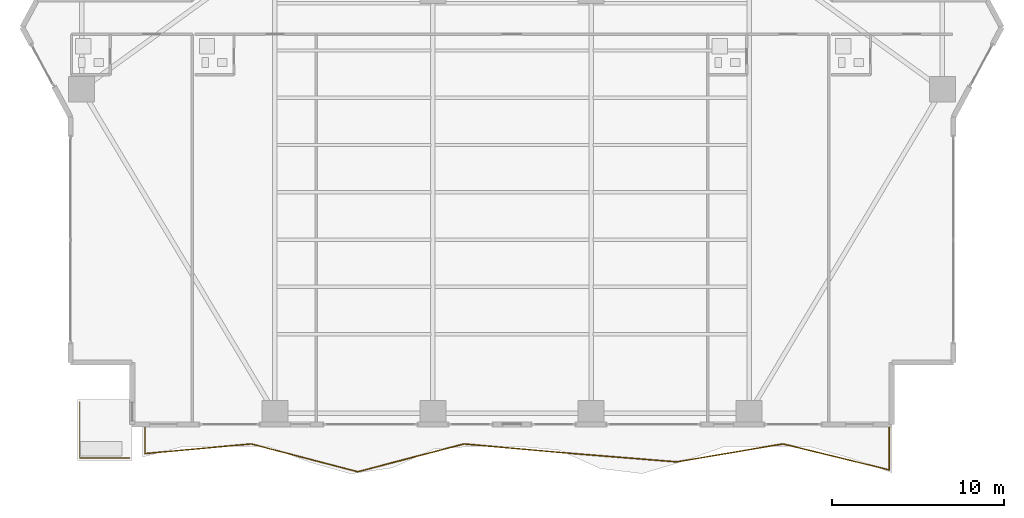
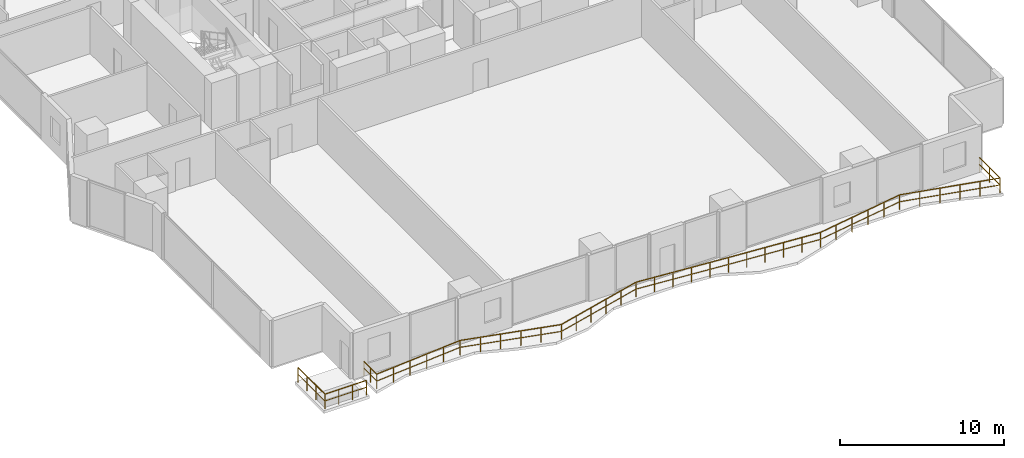
# One storey, part 24 of 28: 2 railings.
"""IFC4 building model written with IfcOpenShell, lengths in metres."""

from ifc_helpers import new_model, si_unit, direction, frame, origin, origin_2d, place, context, subcontext, project, spatial, rectangle, extrude, material, type_object, element, save


model = new_model("IFC4")

# Units and contexts
model_context = context("Model", 3, precision=1e-05, world=origin(), true_north=direction((0.0, 1.0)))
body_context = subcontext(model_context, "Body", "Model", "MODEL_VIEW")
ifc_project = project(units=[si_unit("LENGTHUNIT", "METRE"), si_unit("AREAUNIT", "SQUARE_METRE"), si_unit("VOLUMEUNIT", "CUBIC_METRE"), si_unit("PLANEANGLEUNIT", "RADIAN"), si_unit("MASSUNIT", "GRAM", prefix="KILO")], contexts=[model_context])

# Site, building, storey
site_placement = place(None, origin())
site = spatial("IfcSite", under=ifc_project, at=site_placement, CompositionType="ELEMENT")
building_placement = place(site_placement, origin())
building = spatial("IfcBuilding", under=site, at=building_placement, Name="Zuhayl Quay Hotel", CompositionType="ELEMENT")
storey_placement = place(building_placement, frame((0.0, 0.0, 78.699951171875)))
storey = spatial("IfcBuildingStorey", under=building, at=storey_placement, Name="L19", CompositionType="ELEMENT", Elevation=78.699951171875)

# Railings
ifc_material = material(Name="Anodised Aluminium and Laminated Glass", Category="aluminium")
railing_type = type_object("IfcRailingType", Name="RL_EXT_BAL_1100", PredefinedType="BALUSTRADE", material=ifc_material)
railing_1_placement = place(storey_placement, frame((-21.360107421875, -23.219970703125, 0.0)))
element("IfcRailing", 1, at=railing_1_placement, inside=storey, type_object=railing_type, Name="L19 Balcony and Terrace Guard GR_L19_BAL_S", PredefinedType="BALUSTRADE", context=body_context, shape_type="SweptSolid", body=[
    extrude(rectangle(XDim=0.048095703125, YDim=0.048095703125, at=origin_2d()), frame((0.0, 0.0, 1.09619140625), z_axis=(0.0, -1.0, 0.0), x_axis=(1.0, 0.0, 0.0)), (0.0, 0.0, 1.0), 1.582275390625),
    extrude(rectangle(XDim=0.0361328125, YDim=0.0361328125, at=origin_2d()), frame((0.0, 0.0, 0.58251953125), z_axis=(0.0, -1.0, 0.0), x_axis=(1.0, 0.0, 0.0)), (0.0, 0.0, 1.0), 1.582275390625),
    extrude(rectangle(XDim=0.048095703125, YDim=0.048095703125, at=origin_2d()), frame((0.0, -1.582275390625, 1.09619140625), z_axis=(0.995898357311, 0.090479068874, 0.0), x_axis=(-0.090479068874, 0.995898357311, 0.0)), (0.0, 0.0, 1.0), 6.214111328125),
    extrude(rectangle(XDim=0.0361328125, YDim=0.0361328125, at=origin_2d()), frame((0.0, -1.582275390625, 0.58251953125), z_axis=(0.995898357311, 0.090479068874, 0.0), x_axis=(-0.090479068874, 0.995898357311, 0.0)), (0.0, 0.0, 1.0), 6.214111328125),
    extrude(rectangle(XDim=0.048095703125, YDim=0.048095703125, at=origin_2d()), frame((6.188720703125, -1.02001953125, 1.09619140625), z_axis=(0.967398052897, -0.253260749528, 0.0), x_axis=(0.253260749528, 0.967398052897, 0.0)), (0.0, 0.0, 1.0), 6.39697265625),
    extrude(rectangle(XDim=0.0361328125, YDim=0.0361328125, at=origin_2d()), frame((6.188720703125, -1.02001953125, 0.58251953125), z_axis=(0.967398052897, -0.253260749528, 0.0), x_axis=(0.253260749528, 0.967398052897, 0.0)), (0.0, 0.0, 1.0), 6.39697265625),
    extrude(rectangle(XDim=0.048095703125, YDim=0.048095703125, at=origin_2d()), frame((12.377197265625, -2.64013671875, 1.09619140625), z_axis=(0.967400500682, 0.253251399366, 0.0), x_axis=(-0.253251399366, 0.967400500682, 0.0)), (0.0, 0.0, 1.0), 6.397216796875),
    extrude(rectangle(XDim=0.0361328125, YDim=0.0361328125, at=origin_2d()), frame((12.377197265625, -2.64013671875, 0.58251953125), z_axis=(0.967400500682, 0.253251399366, 0.0), x_axis=(-0.253251399366, 0.967400500682, 0.0)), (0.0, 0.0, 1.0), 6.397216796875),
    extrude(rectangle(XDim=0.048095703125, YDim=0.048095703125, at=origin_2d()), frame((18.56591796875, -1.02001953125, 1.09619140625), z_axis=(0.996121547502, -0.087987854855, 0.0), x_axis=(0.087987854855, 0.996121547502, 0.0)), (0.0, 0.0, 1.0), 6.212646484375),
    extrude(rectangle(XDim=0.0361328125, YDim=0.0361328125, at=origin_2d()), frame((18.56591796875, -1.02001953125, 0.58251953125), z_axis=(0.996121547502, -0.087987854855, 0.0), x_axis=(0.087987854855, 0.996121547502, 0.0)), (0.0, 0.0, 1.0), 6.212646484375),
    extrude(rectangle(XDim=0.048095703125, YDim=0.048095703125, at=origin_2d()), frame((24.75439453125, -1.566650390625, 1.09619140625), z_axis=(0.996783692792, -0.080139065285, 0.0), x_axis=(0.080139065285, 0.996783692792, 0.0)), (0.0, 0.0, 1.0), 6.208740234375),
    extrude(rectangle(XDim=0.0361328125, YDim=0.0361328125, at=origin_2d()), frame((24.75439453125, -1.566650390625, 0.58251953125), z_axis=(0.996783692792, -0.080139065285, 0.0), x_axis=(0.080139065285, 0.996783692792, 0.0)), (0.0, 0.0, 1.0), 6.208740234375),
    extrude(rectangle(XDim=0.048095703125, YDim=0.048095703125, at=origin_2d()), frame((30.943115234375, -2.064208984375, 1.09619140625), z_axis=(0.986061802434, 0.1663794512, 0.0), x_axis=(-0.1663794512, 0.986061802434, 0.0)), (0.0, 0.0, 1.0), 6.27587890625),
    extrude(rectangle(XDim=0.0361328125, YDim=0.0361328125, at=origin_2d()), frame((30.943115234375, -2.064208984375, 0.58251953125), z_axis=(0.986061802434, 0.1663794512, 0.0), x_axis=(-0.1663794512, 0.986061802434, 0.0)), (0.0, 0.0, 1.0), 6.27587890625),
    extrude(rectangle(XDim=0.048095703125, YDim=0.048095703125, at=origin_2d()), frame((37.131591796875, -1.02001953125, 1.09619140625), z_axis=(0.971480083855, -0.237121164542, 0.0), x_axis=(0.237121164542, 0.971480083855, 0.0)), (0.0, 0.0, 1.0), 6.3701171875),
    extrude(rectangle(XDim=0.0361328125, YDim=0.0361328125, at=origin_2d()), frame((37.131591796875, -1.02001953125, 0.58251953125), z_axis=(0.971480083855, -0.237121164542, 0.0), x_axis=(0.237121164542, 0.971480083855, 0.0)), (0.0, 0.0, 1.0), 6.3701171875),
    extrude(rectangle(XDim=0.048095703125, YDim=0.048095703125, at=origin_2d()), frame((43.320068359375, -2.530517578125, 1.09619140625), z_axis=(0.0, 1.0, 0.0), x_axis=(-1.0, 0.0, 0.0)), (0.0, 0.0, 1.0), 2.530517578125),
    extrude(rectangle(XDim=0.0361328125, YDim=0.0361328125, at=origin_2d()), frame((43.320068359375, -2.530517578125, 0.58251953125), z_axis=(0.0, 1.0, 0.0), x_axis=(-1.0, 0.0, 0.0)), (0.0, 0.0, 1.0), 2.530517578125),
    extrude(rectangle(XDim=0.0419921875, YDim=0.0419921875, at=origin_2d()), origin(), (0.0, 0.0, 1.0), 1.072021484375),
    extrude(rectangle(XDim=0.0419921875, YDim=0.0419921875, at=origin_2d()), frame((0.0, -0.791015625, 0.0)), (0.0, 0.0, 1.0), 1.072021484375),
    extrude(rectangle(XDim=0.0419921875, YDim=0.0419921875, at=origin_2d()), frame((0.0, -1.582275390625, 0.0)), (0.0, 0.0, 1.0), 1.072021484375),
    extrude(rectangle(XDim=0.0419921875, YDim=0.0419921875, at=origin_2d()), frame((1.23779296875, -1.4697265625, 0.0)), (0.0, 0.0, 1.0), 1.072021484375),
    extrude(rectangle(XDim=0.0419921875, YDim=0.0419921875, at=origin_2d()), frame((2.4755859375, -1.357421875, 0.0)), (0.0, 0.0, 1.0), 1.072021484375),
    extrude(rectangle(XDim=0.0419921875, YDim=0.0419921875, at=origin_2d()), frame((3.713134765625, -1.244873046875, 0.0)), (0.0, 0.0, 1.0), 1.072021484375),
    extrude(rectangle(XDim=0.0419921875, YDim=0.0419921875, at=origin_2d()), frame((4.950927734375, -1.132568359375, 0.0)), (0.0, 0.0, 1.0), 1.072021484375),
    extrude(rectangle(XDim=0.0419921875, YDim=0.0419921875, at=origin_2d()), frame((6.188720703125, -1.02001953125, 0.0)), (0.0, 0.0, 1.0), 1.072021484375),
    extrude(rectangle(XDim=0.0419921875, YDim=0.0419921875, at=origin_2d()), frame((7.426513671875, -1.343994140625, 0.0)), (0.0, 0.0, 1.0), 1.072021484375),
    extrude(rectangle(XDim=0.0419921875, YDim=0.0419921875, at=origin_2d()), frame((8.6640625, -1.66796875, 0.0)), (0.0, 0.0, 1.0), 1.072021484375),
    extrude(rectangle(XDim=0.0419921875, YDim=0.0419921875, at=origin_2d()), frame((9.90185546875, -1.9921875, 0.0)), (0.0, 0.0, 1.0), 1.072021484375),
    extrude(rectangle(XDim=0.0419921875, YDim=0.0419921875, at=origin_2d()), frame((11.139404296875, -2.316162109375, 0.0)), (0.0, 0.0, 1.0), 1.072021484375),
    extrude(rectangle(XDim=0.0419921875, YDim=0.0419921875, at=origin_2d()), frame((12.377197265625, -2.64013671875, 0.0)), (0.0, 0.0, 1.0), 1.072021484375),
    extrude(rectangle(XDim=0.0419921875, YDim=0.0419921875, at=origin_2d()), frame((13.614990234375, -2.316162109375, 0.0)), (0.0, 0.0, 1.0), 1.072021484375),
    extrude(rectangle(XDim=0.0419921875, YDim=0.0419921875, at=origin_2d()), frame((14.852783203125, -1.9921875, 0.0)), (0.0, 0.0, 1.0), 1.072021484375),
    extrude(rectangle(XDim=0.0419921875, YDim=0.0419921875, at=origin_2d()), frame((16.09033203125, -1.66796875, 0.0)), (0.0, 0.0, 1.0), 1.072021484375),
    extrude(rectangle(XDim=0.0419921875, YDim=0.0419921875, at=origin_2d()), frame((17.328125, -1.343994140625, 0.0)), (0.0, 0.0, 1.0), 1.072021484375),
    extrude(rectangle(XDim=0.0419921875, YDim=0.0419921875, at=origin_2d()), frame((18.56591796875, -1.02001953125, 0.0)), (0.0, 0.0, 1.0), 1.072021484375),
    extrude(rectangle(XDim=0.0419921875, YDim=0.0419921875, at=origin_2d()), frame((19.8037109375, -1.12939453125, 0.0)), (0.0, 0.0, 1.0), 1.072021484375),
    extrude(rectangle(XDim=0.0419921875, YDim=0.0419921875, at=origin_2d()), frame((21.041259765625, -1.23876953125, 0.0)), (0.0, 0.0, 1.0), 1.072021484375),
    extrude(rectangle(XDim=0.0419921875, YDim=0.0419921875, at=origin_2d()), frame((22.279052734375, -1.347900390625, 0.0)), (0.0, 0.0, 1.0), 1.072021484375),
    extrude(rectangle(XDim=0.0419921875, YDim=0.0419921875, at=origin_2d()), frame((23.5166015625, -1.457275390625, 0.0)), (0.0, 0.0, 1.0), 1.072021484375),
    extrude(rectangle(XDim=0.0419921875, YDim=0.0419921875, at=origin_2d()), frame((24.75439453125, -1.566650390625, 0.0)), (0.0, 0.0, 1.0), 1.072021484375),
    extrude(rectangle(XDim=0.0419921875, YDim=0.0419921875, at=origin_2d()), frame((25.9921875, -1.666259765625, 0.0)), (0.0, 0.0, 1.0), 1.072021484375),
    extrude(rectangle(XDim=0.0419921875, YDim=0.0419921875, at=origin_2d()), frame((27.22998046875, -1.765625, 0.0)), (0.0, 0.0, 1.0), 1.072021484375),
    extrude(rectangle(XDim=0.0419921875, YDim=0.0419921875, at=origin_2d()), frame((28.467529296875, -1.865234375, 0.0)), (0.0, 0.0, 1.0), 1.072021484375),
    extrude(rectangle(XDim=0.0419921875, YDim=0.0419921875, at=origin_2d()), frame((29.705322265625, -1.964599609375, 0.0)), (0.0, 0.0, 1.0), 1.072021484375),
    extrude(rectangle(XDim=0.0419921875, YDim=0.0419921875, at=origin_2d()), frame((30.943115234375, -2.064208984375, 0.0)), (0.0, 0.0, 1.0), 1.072021484375),
    extrude(rectangle(XDim=0.0419921875, YDim=0.0419921875, at=origin_2d()), frame((32.180908203125, -1.85546875, 0.0)), (0.0, 0.0, 1.0), 1.072021484375),
    extrude(rectangle(XDim=0.0419921875, YDim=0.0419921875, at=origin_2d()), frame((33.41845703125, -1.646484375, 0.0)), (0.0, 0.0, 1.0), 1.072021484375),
    extrude(rectangle(XDim=0.0419921875, YDim=0.0419921875, at=origin_2d()), frame((34.65625, -1.437744140625, 0.0)), (0.0, 0.0, 1.0), 1.072021484375),
    extrude(rectangle(XDim=0.0419921875, YDim=0.0419921875, at=origin_2d()), frame((35.893798828125, -1.228759765625, 0.0)), (0.0, 0.0, 1.0), 1.072021484375),
    extrude(rectangle(XDim=0.0419921875, YDim=0.0419921875, at=origin_2d()), frame((37.131591796875, -1.02001953125, 0.0)), (0.0, 0.0, 1.0), 1.072021484375),
    extrude(rectangle(XDim=0.0419921875, YDim=0.0419921875, at=origin_2d()), frame((38.369384765625, -1.322021484375, 0.0)), (0.0, 0.0, 1.0), 1.072021484375),
    extrude(rectangle(XDim=0.0419921875, YDim=0.0419921875, at=origin_2d()), frame((39.60693359375, -1.624267578125, 0.0)), (0.0, 0.0, 1.0), 1.072021484375),
    extrude(rectangle(XDim=0.0419921875, YDim=0.0419921875, at=origin_2d()), frame((40.8447265625, -1.92626953125, 0.0)), (0.0, 0.0, 1.0), 1.072021484375),
    extrude(rectangle(XDim=0.0419921875, YDim=0.0419921875, at=origin_2d()), frame((42.082275390625, -2.228515625, 0.0)), (0.0, 0.0, 1.0), 1.072021484375),
    extrude(rectangle(XDim=0.0419921875, YDim=0.0419921875, at=origin_2d()), frame((43.320068359375, -2.530517578125, 0.0)), (0.0, 0.0, 1.0), 1.072021484375),
    extrude(rectangle(XDim=0.0419921875, YDim=0.0419921875, at=origin_2d()), frame((43.320068359375, -1.26513671875, 0.0)), (0.0, 0.0, 1.0), 1.072021484375),
    extrude(rectangle(XDim=0.0419921875, YDim=0.0419921875, at=origin_2d()), frame((43.320068359375, 0.0, 0.0)), (0.0, 0.0, 1.0), 1.072021484375),
])
railing_2_placement = place(storey_placement, frame((-25.159912109375, -21.7900390625, 0.0)))
element("IfcRailing", 2, at=railing_2_placement, inside=storey, type_object=railing_type, Name="L19 Balcony and Terrace Guard GR_L19_SPIRAL_SW", PredefinedType="BALUSTRADE", context=body_context, shape_type="SweptSolid", body=[
    extrude(rectangle(XDim=0.048095703125, YDim=0.048095703125, at=origin_2d()), frame((0.0, 0.0, 1.09619140625), z_axis=(0.0, -1.0, 0.0), x_axis=(1.0, 0.0, 0.0)), (0.0, 0.0, 1.0), 3.27001953125),
    extrude(rectangle(XDim=0.0361328125, YDim=0.0361328125, at=origin_2d()), frame((0.0, 0.0, 0.58251953125), z_axis=(0.0, -1.0, 0.0), x_axis=(1.0, 0.0, 0.0)), (0.0, 0.0, 1.0), 3.27001953125),
    extrude(rectangle(XDim=0.048095703125, YDim=0.048095703125, at=origin_2d()), frame((0.0, -3.27001953125, 1.09619140625), z_axis=(1.0, 0.0, 0.0), x_axis=(0.0, 1.0, 0.0)), (0.0, 0.0, 1.0), 2.919921875),
    extrude(rectangle(XDim=0.0361328125, YDim=0.0361328125, at=origin_2d()), frame((0.0, -3.27001953125, 0.58251953125), z_axis=(1.0, 0.0, 0.0), x_axis=(0.0, 1.0, 0.0)), (0.0, 0.0, 1.0), 2.919921875),
    extrude(rectangle(XDim=0.0419921875, YDim=0.0419921875, at=origin_2d()), origin(), (0.0, 0.0, 1.0), 1.072021484375),
    extrude(rectangle(XDim=0.0419921875, YDim=0.0419921875, at=origin_2d()), frame((0.0, -1.090087890625, 0.0)), (0.0, 0.0, 1.0), 1.072021484375),
    extrude(rectangle(XDim=0.0419921875, YDim=0.0419921875, at=origin_2d()), frame((0.0, -2.179931640625, 0.0)), (0.0, 0.0, 1.0), 1.072021484375),
    extrude(rectangle(XDim=0.0419921875, YDim=0.0419921875, at=origin_2d()), frame((0.0, -3.27001953125, 0.0)), (0.0, 0.0, 1.0), 1.072021484375),
    extrude(rectangle(XDim=0.0419921875, YDim=0.0419921875, at=origin_2d()), frame((0.973388671875, -3.27001953125, 0.0)), (0.0, 0.0, 1.0), 1.072021484375),
    extrude(rectangle(XDim=0.0419921875, YDim=0.0419921875, at=origin_2d()), frame((1.946533203125, -3.27001953125, 0.0)), (0.0, 0.0, 1.0), 1.072021484375),
    extrude(rectangle(XDim=0.0419921875, YDim=0.0419921875, at=origin_2d()), frame((2.919921875, -3.27001953125, 0.0)), (0.0, 0.0, 1.0), 1.072021484375),
])

save(model, "model.ifc")
